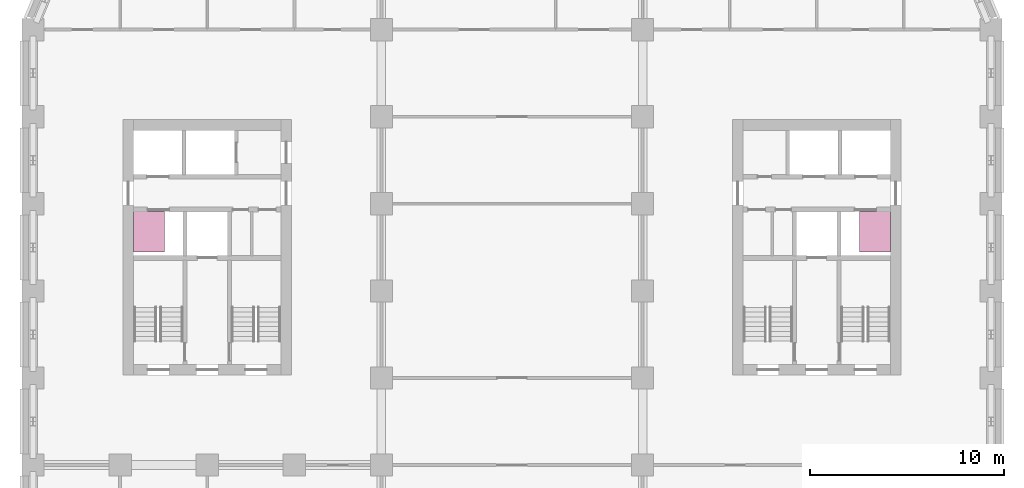
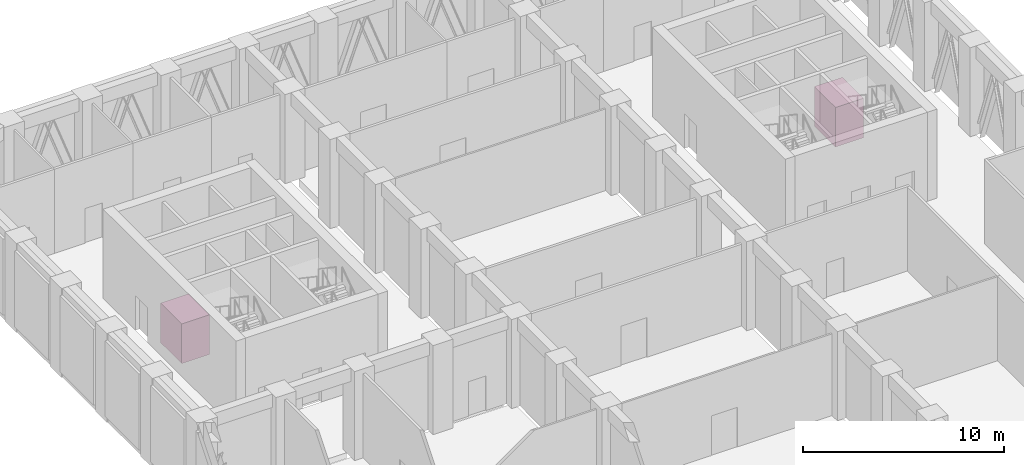
# One storey, part 11 of 11: 2 transport elements.
"""IFC4 building model written with IfcOpenShell, lengths in metres."""

from ifc_helpers import new_model, si_unit, direction, frame, origin, origin_2d, place, context, subcontext, project, spatial, rectangle, extrude, material, type_object, element, save


model = new_model("IFC4")

# Units and contexts
model_context = context("Model", 3, precision=1e-05, world=origin(), true_north=direction((0.0, 1.0)))
body_context = subcontext(model_context, "Body", "Model", "MODEL_VIEW")
ifc_project = project(units=[si_unit("LENGTHUNIT", "METRE"), si_unit("AREAUNIT", "SQUARE_METRE"), si_unit("VOLUMEUNIT", "CUBIC_METRE"), si_unit("PLANEANGLEUNIT", "RADIAN"), si_unit("MASSUNIT", "GRAM", prefix="KILO")], contexts=[model_context])

# Site, building, storey
site_placement = place(None, origin())
site = spatial("IfcSite", under=ifc_project, at=site_placement, CompositionType="ELEMENT")
building_placement = place(site_placement, origin())
building = spatial("IfcBuilding", under=site, at=building_placement, Name="Girih Gate Residences", CompositionType="ELEMENT")
storey_placement = place(building_placement, frame((0.0, 0.0, 124.800048828125)))
storey = spatial("IfcBuildingStorey", under=building, at=storey_placement, Name="L35", CompositionType="ELEMENT", Elevation=124.800048828125)

# Transport elements
ifc_material = material(Name="Stainless steel", Category="steel")
transport_element_type = type_object("IfcTransportElementType", Name="Lift car 1600x2100", PredefinedType="ELEVATOR", material=ifc_material)
for number, where, z_axis, x_axis, name in (
    (1, (6.0, 34.550048828125, 0.0), (0.0, 0.0, 1.0), (1.0, 0.0, 0.0), "Lift HR-W1"),
    (2, (43.5, 34.550048828125, 0.0), (0.0, 0.0, 1.0), (1.0, 0.0, 0.0), "Lift HR-E1"),
):
    element("IfcTransportElement", number, at=place(storey_placement, frame(where, z_axis=z_axis, x_axis=x_axis)), inside=storey, type_object=transport_element_type, Name=name, PredefinedType="ELEVATOR", context=body_context, shape_type="SweptSolid", body=[
        extrude(rectangle(XDim=1.60009765625, YDim=2.10009765625, at=origin_2d()), origin(), (0.0, 0.0, 1.0), 2.39990234375),
    ])

save(model, "model.ifc")
